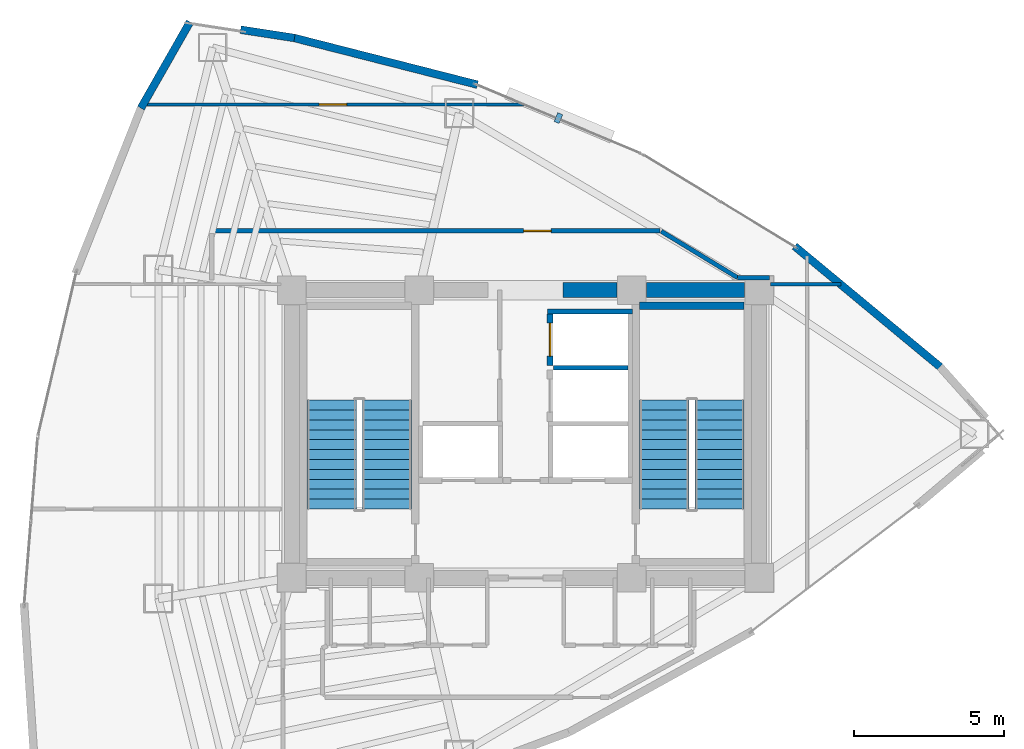
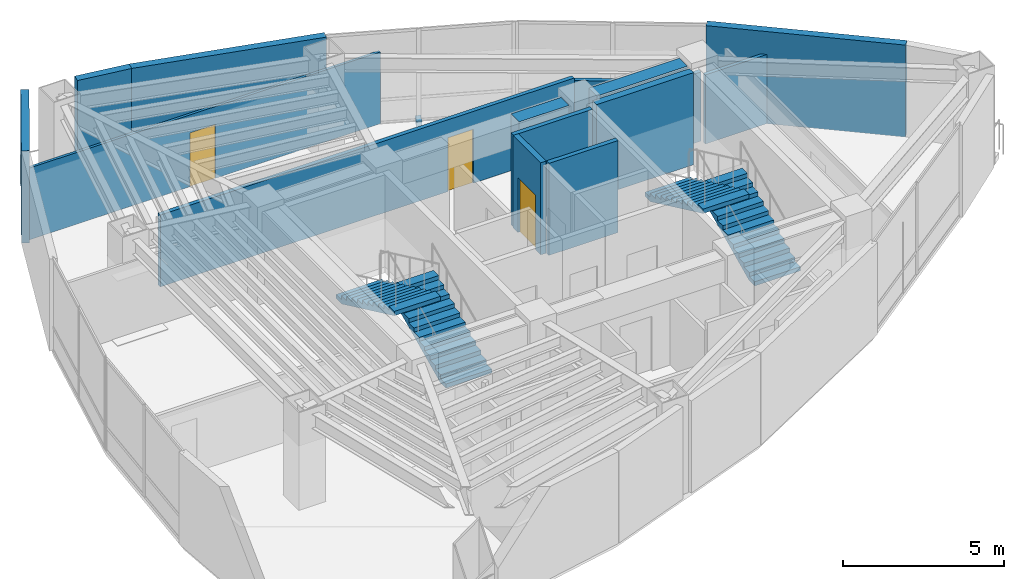
# One storey, part 13 of 15: 15 walls, 4 stair flights, 3 doors, 1 discrete accessory, 3 openings, 2 elements without a shape of their own.
"""IFC4 building model written with IfcOpenShell, lengths in metres."""

from ifc_helpers import new_model, si_unit, direction, frame, frame_2d, origin, origin_2d, place, context, subcontext, project, spatial, polyline, rectangle, outline, extrude, material, layer, layer_set, type_object, element, fill, aggregate, save


model = new_model("IFC4")

# Units and contexts
model_context = context("Model", 3, precision=1e-05, world=origin(), true_north=direction((0.0, 1.0)))
body_context = subcontext(model_context, "Body", "Model", "MODEL_VIEW")
ifc_project = project(units=[si_unit("LENGTHUNIT", "METRE"), si_unit("AREAUNIT", "SQUARE_METRE"), si_unit("VOLUMEUNIT", "CUBIC_METRE"), si_unit("PLANEANGLEUNIT", "RADIAN"), si_unit("MASSUNIT", "GRAM", prefix="KILO")], contexts=[model_context])

# Site, building, storey
site_placement = place(None, origin())
site = spatial("IfcSite", under=ifc_project, at=site_placement, CompositionType="ELEMENT")
building_placement = place(site_placement, origin())
building = spatial("IfcBuilding", under=site, at=building_placement, Name="Menara Vayukalpa", CompositionType="ELEMENT")
storey_placement = place(building_placement, frame((0.0, 0.0, 180.360107421875)))
storey = spatial("IfcBuildingStorey", under=building, at=storey_placement, Name="L45", CompositionType="ELEMENT", Elevation=180.360107421875)

# Walls
ifc_material_1 = material(Name="Concrete C60/75", Category="concrete")
ifc_layer_1 = layer(ifc_material_1, 0.5)
ifc_layer_set_1 = layer_set([ifc_layer_1], Name="Concrete C60/75")
wall_type_1 = type_object("IfcWallType", Name="WAL-CW500", PredefinedType="SHEAR", material=ifc_layer_set_1)
wall_1_placement = place(storey_placement, frame((26.85009765625, 26.800048828125, 0.0), z_axis=(0.0, 0.0, 1.0), x_axis=(1.0, 0.0, 0.0)))
element("IfcWall", 1, at=wall_1_placement, inside=storey, type_object=wall_type_1, Name="L45 Buttressed Core Shear Wall CWN3", PredefinedType="SHEAR", context=body_context, shape_type="SweptSolid", body=[
    extrude(rectangle(XDim=1.804931640625, YDim=0.5, at=frame_2d((0.90234375, 0.0))), origin(), (0.0, 0.0, 1.0), 3.5),
])
wall_2_placement = place(storey_placement, frame((29.64501953125, 26.800048828125, 0.0), z_axis=(0.0, 0.0, 1.0), x_axis=(1.0, 0.0, 0.0)))
element("IfcWall", 2, at=wall_2_placement, inside=storey, type_object=wall_type_1, Name="L45 Buttressed Core Shear Wall CWN4", PredefinedType="SHEAR", context=body_context, shape_type="SweptSolid", body=[
    extrude(rectangle(XDim=3.260009765625, YDim=0.5, at=frame_2d((1.6298828125, 0.0))), origin(), (0.0, 0.0, 1.0), 3.5),
])
ifc_material_2 = material(Name="Insulated Precast Concrete C40/50", Category="concrete")
ifc_layer_2 = layer(ifc_material_2, 0.260009765625)
ifc_layer_set_2 = layer_set([ifc_layer_2], Name="Insulated Precast Concrete C40/50")
wall_type_2 = type_object("IfcWallType", Name="WAL-EXT260", PredefinedType="PARTITIONING", material=ifc_layer_set_2)
wall_3_placement = place(storey_placement, frame((34.58251953125, 28.26953125, 0.0), z_axis=(0.0, 0.0, 1.0), x_axis=(0.769770017655, -0.638321329676, 0.0)))
element("IfcWall", 3, at=wall_3_placement, inside=storey, type_object=wall_type_2, Name="L45 Perimeter Terracotta Pier Wall 03", PredefinedType="PARTITIONING", context=body_context, shape_type="SweptSolid", body=[
    extrude(rectangle(XDim=6.309326171875, YDim=0.260009765625, at=frame_2d((3.15478515625, 0.0))), origin(), (0.0, 0.0, 1.0), 3.5),
])
wall_4_placement = place(storey_placement, frame((17.8759765625, 35.22216796875, 0.0), z_axis=(0.0, 0.0, 1.0), x_axis=(0.968976240439, -0.247153890246, 0.0)))
element("IfcWall", 4, at=wall_4_placement, inside=storey, type_object=wall_type_2, Name="L45 Perimeter Terracotta Pier Wall 06", PredefinedType="PARTITIONING", context=body_context, shape_type="SweptSolid", body=[
    extrude(rectangle(XDim=6.31494140625, YDim=0.260009765625, at=frame_2d((3.157470703125, 0.0))), origin(), (0.0, 0.0, 1.0), 3.5),
])
wall_5_placement = place(storey_placement, frame((16.0908203125, 35.49609375, 0.0), z_axis=(0.0, 0.0, 1.0), x_axis=(0.988377906791, -0.15201681936, 0.0)))
element("IfcWall", 5, at=wall_5_placement, inside=storey, type_object=wall_type_2, Name="L45 Perimeter Terracotta Pier Wall 07", PredefinedType="PARTITIONING", context=body_context, shape_type="SweptSolid", body=[
    extrude(rectangle(XDim=1.818115234375, YDim=0.260009765625, at=frame_2d((0.9091796875, 0.0))), origin(), (0.0, 0.0, 1.0), 3.5),
])
wall_6_placement = place(storey_placement, frame((12.76123046875, 32.877685546875, 0.0), z_axis=(0.0, 0.0, 1.0), x_axis=(0.494884228667, 0.86895891745, 0.0)))
element("IfcWall", 6, at=wall_6_placement, inside=storey, type_object=wall_type_2, Name="L45 Perimeter Terracotta Pier Wall 08", PredefinedType="PARTITIONING", context=body_context, shape_type="SweptSolid", body=[
    extrude(rectangle(XDim=3.312255859375, YDim=0.260009765625, at=frame_2d((1.65625, 0.0))), origin(), (0.0, 0.0, 1.0), 3.5),
])
ifc_material_3 = material(Name="Lightweight Concrete Blockwork C16/20", Category="masonry")
ifc_layer_3 = layer(ifc_material_3, 0.159912109375)
ifc_layer_set_3 = layer_set([ifc_layer_3], Name="Lightweight Concrete Blockwork C16/20")
wall_type_3 = type_object("IfcWallType", Name="WAL-FR150", PredefinedType="PARTITIONING", material=ifc_layer_set_3)
wall_7_placement = place(storey_placement, frame((26.530029296875, 24.215087890625, 0.0), z_axis=(0.0, 0.0, 1.0), x_axis=(1.0, 0.0, 0.0)))
element("IfcWall", 7, at=wall_7_placement, inside=storey, type_object=wall_type_3, Name="L45 Interior Partition IW-L45-SHM-E32", PredefinedType="PARTITIONING", context=body_context, shape_type="SweptSolid", body=[
    extrude(rectangle(XDim=2.489990234375, YDim=0.159912109375, at=frame_2d((1.2451171875, 0.0))), origin(), (0.0, 0.0, 1.0), 3.5),
])
wall_8_placement = place(storey_placement, frame((26.340087890625, 26.0849609375, 0.0), z_axis=(0.0, 0.0, 1.0), x_axis=(1.0, 0.0, 0.0)))
element("IfcWall", 8, at=wall_8_placement, inside=storey, type_object=wall_type_3, Name="L45 Interior Partition IW-L45-SHM-E2N", PredefinedType="PARTITIONING", context=body_context, shape_type="SweptSolid", body=[
    extrude(rectangle(XDim=2.829833984375, YDim=0.159912109375, at=frame_2d((1.4150390625, 0.0))), origin(), (0.0, 0.0, 1.0), 3.5),
])

# Wall, opening, door
ifc_material_4 = material(Name="Lightweight Concrete Blockwork C16/20", Category="masonry")
ifc_layer_4 = layer(ifc_material_4, 0.199951171875)
ifc_layer_set_4 = layer_set([ifc_layer_4], Name="Lightweight Concrete Blockwork C16/20")
wall_type_4 = type_object("IfcWallType", Name="WAL-FR200", PredefinedType="PARTITIONING", material=ifc_layer_set_4)
wall_9_placement = place(storey_placement, frame((26.419921875, 24.2900390625, 0.0), z_axis=(0.0, 0.0, 1.0), x_axis=(0.0, 1.0, 0.0)))
wall_9 = element("IfcWall", 9, at=wall_9_placement, inside=storey, type_object=wall_type_4, Name="L45 Interior Partition IW-L45-SH-E2", PredefinedType="PARTITIONING", context=body_context, shape_type="SweptSolid", body=[
    extrude(rectangle(XDim=1.719970703125, YDim=0.199951171875, at=frame_2d((0.85986328125, 0.0))), origin(), (0.0, 0.0, 1.0), 3.5),
])
opening_1_placement = place(wall_9_placement, frame((0.31005859375, 0.0, 0.0)))
opening_1 = element("IfcOpeningElement", 10, at=opening_1_placement, cuts=wall_9, Name="Opening LD1", PredefinedType="OPENING", context=body_context, shape_type="SweptSolid", body=[
    extrude(rectangle(XDim=1.10009765625, YDim=2.080078125, at=frame_2d((0.550048828125, 1.0400390625))), frame((0.0, 0.10986328125, 0.0), z_axis=(0.0, -1.0, 0.0), x_axis=(1.0, 0.0, 0.0)), (0.0, 0.0, 1.0), 0.219970703125),
])
ifc_material_5 = material(Name="Brushed Stainless Steel 316 Lift Door", Category="steel")
door_type_1 = type_object("IfcDoorType", Name="DR-LD110", OperationType="NOTDEFINED", PredefinedType="DOOR", material=ifc_material_5)
door_1_placement = place(opening_1_placement, origin())
door_1 = element("IfcDoor", 11, at=door_1_placement, inside=storey, type_object=door_type_1, Name="L45 Interior Door DR-L45-LD-E2", OperationType="DOUBLE_DOOR_SLIDING", OverallHeight=2.080078125, OverallWidth=1.10009765625, PredefinedType="DOOR", context=body_context, shape_type="SweptSolid", body=[
    extrude(rectangle(XDim=1.10009765625, YDim=2.080078125, at=frame_2d((0.550048828125, 1.0400390625))), frame((0.0, 0.02490234375, 0.0), z_axis=(0.0, -1.0, 0.0), x_axis=(1.0, 0.0, 0.0)), (0.0, 0.0, 1.0), 0.050048828125),
])
fill(opening_1, door_1)

ifc_material_6 = material(Name="Glazed Demountable Office Partition", Category="glass")
ifc_layer_5 = layer(ifc_material_6, 0.094970703125)
ifc_layer_set_5 = layer_set([ifc_layer_5], Name="Glazed Demountable Office Partition")
wall_type_5 = type_object("IfcWallType", Name="WAL-PT100", PredefinedType="PARTITIONING", material=ifc_layer_set_5)
wall_10_placement = place(storey_placement, frame((12.8193359375, 33.0, 0.0), z_axis=(0.0, 0.0, 1.0), x_axis=(1.0, 0.0, 0.0)))
wall_10 = element("IfcWall", 12, at=wall_10_placement, inside=storey, type_object=wall_type_5, Name="L45 Interior Partition IW-L45-RDIV06", PredefinedType="PARTITIONING", context=body_context, shape_type="SweptSolid", body=[
    extrude(rectangle(XDim=12.741455078125, YDim=0.094970703125, at=frame_2d((6.37060546875, 0.0))), origin(), (0.0, 0.0, 1.0), 2.72998046875),
])
opening_2_placement = place(wall_10_placement, frame((5.892333984375, 0.0, 0.0)))
opening_2 = element("IfcOpeningElement", 13, at=opening_2_placement, cuts=wall_10, Name="Opening ID6", PredefinedType="OPENING", context=body_context, shape_type="SweptSolid", body=[
    extrude(rectangle(XDim=0.919921875, YDim=2.050048828125, at=frame_2d((0.4599609375, 1.02490234375))), frame((0.0, 0.057373046875, 0.0), z_axis=(0.0, -1.0, 0.0), x_axis=(1.0, 0.0, 0.0)), (0.0, 0.0, 1.0), 0.114990234375),
])
ifc_material_7 = material(Name="Acoustic Hardwood Veneer Timber Door", Category="wood")
door_type_2 = type_object("IfcDoorType", Name="DR-INT92", OperationType="NOTDEFINED", PredefinedType="DOOR", material=ifc_material_7)
door_2_placement = place(opening_2_placement, origin())
door_2 = element("IfcDoor", 14, at=door_2_placement, inside=storey, type_object=door_type_2, Name="L45 Interior Door DR-L45-STE05", OperationType="SINGLE_SWING_LEFT", OverallHeight=2.050048828125, OverallWidth=0.919921875, PredefinedType="DOOR", context=body_context, shape_type="SweptSolid", body=[
    extrude(rectangle(XDim=0.919921875, YDim=2.050048828125, at=frame_2d((0.4599609375, 1.02490234375))), frame((0.0, 0.02490234375, 0.0), z_axis=(0.0, -1.0, 0.0), x_axis=(1.0, 0.0, 0.0)), (0.0, 0.0, 1.0), 0.050048828125),
])
fill(opening_2, door_2)

# Walls
ifc_material_8 = material(Name="Gypsum Drywall Steel Stud Assembly", Category="steel")
ifc_layer_6 = layer(ifc_material_8, 0.125)
ifc_layer_set_6 = layer_set([ifc_layer_6], Name="Gypsum Drywall Steel Stud Assembly")
wall_type_6 = type_object("IfcWallType", Name="WAL-PT125", PredefinedType="PARTITIONING", material=ifc_layer_set_6)
wall_11_placement = place(storey_placement, frame((33.77001953125, 27.0, 0.0), z_axis=(0.0, 0.0, 1.0), x_axis=(1.0, 0.0, 0.0)))
element("IfcWall", 15, at=wall_11_placement, inside=storey, type_object=wall_type_6, Name="L45 Interior Partition IW-L45-RDIV05", PredefinedType="PARTITIONING", context=body_context, shape_type="SweptSolid", body=[
    extrude(rectangle(XDim=2.359130859375, YDim=0.125, at=frame_2d((1.1796875, 0.0))), origin(), (0.0, 0.0, 1.0), 2.6298828125),
])
ifc_material_9 = material(Name="Gypsum Drywall Acoustic Stud Assembly", Category="masonry")
ifc_layer_7 = layer(ifc_material_9, 0.14501953125)
ifc_layer_set_7 = layer_set([ifc_layer_7], Name="Gypsum Drywall Acoustic Stud Assembly")
wall_type_7 = type_object("IfcWallType", Name="WAL-PT150", PredefinedType="PARTITIONING", material=ifc_layer_set_7)
wall_12_placement = place(storey_placement, frame((33.739990234375, 27.219970703125, 0.0), z_axis=(0.0, 0.0, 1.0), x_axis=(-1.0, 0.0, 0.0)))
element("IfcWall", 16, at=wall_12_placement, inside=storey, type_object=wall_type_7, Name="L45 Interior Partition IW-L45-CRM04-1", PredefinedType="PARTITIONING", context=body_context, shape_type="SweptSolid", body=[
    extrude(rectangle(XDim=1.0625, YDim=0.14501953125, at=frame_2d((0.53125, 0.0))), origin(), (0.0, 0.0, 1.0), 2.6298828125),
])
wall_13_placement = place(storey_placement, frame((32.677490234375, 27.219970703125, 0.0), z_axis=(0.0, 0.0, 1.0), x_axis=(-0.854662977584, 0.519183199601, 0.0)))
element("IfcWall", 17, at=wall_13_placement, inside=storey, type_object=wall_type_7, Name="L45 Interior Partition IW-L45-CRM04-2", PredefinedType="PARTITIONING", context=body_context, shape_type="SweptSolid", body=[
    extrude(rectangle(XDim=2.982177734375, YDim=0.14501953125, at=frame_2d((1.4912109375, 0.0))), origin(), (0.0, 0.0, 1.0), 2.6298828125),
])

# Wall, opening, door
wall_14_placement = place(storey_placement, frame((30.087158203125, 28.780029296875, 0.0), z_axis=(0.0, 0.0, 1.0), x_axis=(-1.0, 0.0, 0.0)))
wall_14 = element("IfcWall", 18, at=wall_14_placement, inside=storey, type_object=wall_type_7, Name="L45 Interior Partition IW-L45-CRM04-3", PredefinedType="PARTITIONING", context=body_context, shape_type="SweptSolid", body=[
    extrude(rectangle(XDim=14.88720703125, YDim=0.14501953125, at=frame_2d((7.443603515625, 0.0))), origin(), (0.0, 0.0, 1.0), 2.72998046875),
])
opening_3_placement = place(wall_14_placement, frame((3.6318359375, 0.0, 0.0)))
opening_3 = element("IfcOpeningElement", 19, at=opening_3_placement, cuts=wall_14, Name="Opening ID6", PredefinedType="OPENING", context=body_context, shape_type="SweptSolid", body=[
    extrude(rectangle(XDim=0.919921875, YDim=2.050048828125, at=frame_2d((0.4599609375, 1.02490234375))), frame((0.0, 0.08251953125, 0.0), z_axis=(0.0, -1.0, 0.0), x_axis=(1.0, 0.0, 0.0)), (0.0, 0.0, 1.0), 0.1650390625),
])
door_3_placement = place(opening_3_placement, origin())
door_3 = element("IfcDoor", 20, at=door_3_placement, inside=storey, type_object=door_type_2, Name="L45 Interior Door DR-L45-RM04", OperationType="SINGLE_SWING_LEFT", OverallHeight=2.050048828125, OverallWidth=0.919921875, PredefinedType="DOOR", context=body_context, shape_type="SweptSolid", body=[
    extrude(rectangle(XDim=0.919921875, YDim=2.050048828125, at=frame_2d((0.4599609375, 1.02490234375))), frame((0.0, 0.02490234375, 0.0), z_axis=(0.0, -1.0, 0.0), x_axis=(1.0, 0.0, 0.0)), (0.0, 0.0, 1.0), 0.050048828125),
])
fill(opening_3, door_3)

# Wall
ifc_material_10 = material(Name="Concrete C50/60", Category="concrete")
ifc_layer_8 = layer(ifc_material_10, 0.25)
ifc_layer_set_8 = layer_set([ifc_layer_8], Name="Concrete C50/60")
wall_type_8 = type_object("IfcWallType", Name="WAL-SW250", PredefinedType="SHEAR", material=ifc_layer_set_8)
wall_15_placement = place(storey_placement, frame((29.39990234375, 26.27490234375, 0.0), z_axis=(0.0, 0.0, 1.0), x_axis=(1.0, 0.0, 0.0)))
element("IfcWall", 21, at=wall_15_placement, inside=storey, type_object=wall_type_8, Name="L45 ST2 Structural Stair Shaft Wall N", PredefinedType="SHEAR", context=body_context, shape_type="SweptSolid", body=[
    extrude(rectangle(XDim=3.49609375, YDim=0.25, at=frame_2d((1.748046875, 0.0))), origin(), (0.0, 0.0, 1.0), 3.5),
])

# Stair, stair flights
ifc_material_11 = material(Name="Precast Concrete C40/50", Category="concrete")
stair_type = type_object("IfcStairType", Name="STR-T04", PredefinedType="DOUBLE_RETURN_STAIR", material=ifc_material_11)
stair_1_placement = place(storey_placement, origin())
stair_1 = element("IfcStair", 22, at=stair_1_placement, inside=storey, type_object=stair_type, Name="L45 Core Exit Stair ST-1", PredefinedType="DOUBLE_RETURN_STAIR")
ifc_material_12 = material(Name="Precast Concrete C40/50", Category="concrete")
stair_flight_type = type_object("IfcStairFlightType", Name="STF-T04", PredefinedType="STRAIGHT", material=ifc_material_12)
stair_flight_1_placement = place(storey_placement, frame((20.97509765625, 19.5, 0.0), z_axis=(0.0, 0.0, 1.0), x_axis=(0.0, 1.0, 0.0)))
stair_flight_1 = element("IfcStairFlight", 23, at=stair_flight_1_placement, type_object=stair_flight_type, Name="ST-1 flight 1", NumberOfRisers=12, NumberOfTreads=11, PredefinedType="STRAIGHT", RiserHeight=0.155, TreadLength=0.33, context=body_context, shape_type="SweptSolid", body=[
    extrude(outline(polyline([(0.0, 0.0), (0.0, 0.155029296875), (0.330078125, 0.155029296875), (0.330078125, 0.31005859375), (0.659912109375, 0.31005859375), (0.659912109375, 0.465087890625), (0.989990234375, 0.465087890625), (0.989990234375, 0.6201171875), (1.320068359375, 0.6201171875), (1.320068359375, 0.77490234375), (1.64990234375, 0.77490234375), (1.64990234375, 0.929931640625), (1.97998046875, 0.929931640625), (1.97998046875, 1.0849609375), (2.31005859375, 1.0849609375), (2.31005859375, 1.239990234375), (2.639892578125, 1.239990234375), (2.639892578125, 1.39501953125), (2.969970703125, 1.39501953125), (2.969970703125, 1.550048828125), (3.300048828125, 1.550048828125), (3.300048828125, 1.705078125), (3.6298828125, 1.705078125), (3.6298828125, 1.860107421875), (3.6298828125, 1.539306640625), (0.3525390625, 0.0), (0.0, 0.0)])), frame((0.0, 0.824951171875, 0.0), z_axis=(0.0, -1.0, 0.0), x_axis=(1.0, 0.0, 0.0)), (0.0, 0.0, 1.0), 1.64990234375),
])
stair_flight_2_placement = place(storey_placement, frame((19.125, 23.1298828125, 1.85986328125), z_axis=(0.0, 0.0, 1.0), x_axis=(0.0, -1.0, 0.0)))
stair_flight_2 = element("IfcStairFlight", 24, at=stair_flight_2_placement, type_object=stair_flight_type, Name="ST-1 flight 2", NumberOfRisers=12, NumberOfTreads=11, PredefinedType="STRAIGHT", RiserHeight=0.155, TreadLength=0.33, context=body_context, shape_type="SweptSolid", body=[
    extrude(outline(polyline([(0.0, 0.0), (0.0, 0.155029296875), (0.330078125, 0.155029296875), (0.330078125, 0.31005859375), (0.659912109375, 0.31005859375), (0.659912109375, 0.465087890625), (0.989990234375, 0.465087890625), (0.989990234375, 0.6201171875), (1.320068359375, 0.6201171875), (1.320068359375, 0.77490234375), (1.64990234375, 0.77490234375), (1.64990234375, 0.929931640625), (1.97998046875, 0.929931640625), (1.97998046875, 1.0849609375), (2.31005859375, 1.0849609375), (2.31005859375, 1.239990234375), (2.639892578125, 1.239990234375), (2.639892578125, 1.39501953125), (2.969970703125, 1.39501953125), (2.969970703125, 1.550048828125), (3.300048828125, 1.550048828125), (3.300048828125, 1.705078125), (3.6298828125, 1.705078125), (3.6298828125, 1.860107421875), (3.6298828125, 1.539306640625), (0.3525390625, 0.0), (0.0, 0.0)])), frame((0.0, 0.824951171875, 0.0), z_axis=(0.0, -1.0, 0.0), x_axis=(1.0, 0.0, 0.0)), (0.0, 0.0, 1.0), 1.64990234375),
])
aggregate(stair_1, [stair_flight_1, stair_flight_2])

stair_2_placement = place(storey_placement, origin())
stair_2 = element("IfcStair", 25, at=stair_2_placement, inside=storey, type_object=stair_type, Name="L45 Core Exit Stair ST-2", PredefinedType="DOUBLE_RETURN_STAIR")
stair_flight_3_placement = place(storey_placement, frame((32.074951171875, 19.5, 0.0), z_axis=(0.0, 0.0, 1.0), x_axis=(0.0, 1.0, 0.0)))
stair_flight_3 = element("IfcStairFlight", 26, at=stair_flight_3_placement, type_object=stair_flight_type, Name="ST-2 flight 1", NumberOfRisers=12, NumberOfTreads=11, PredefinedType="STRAIGHT", RiserHeight=0.155, TreadLength=0.33, context=body_context, shape_type="SweptSolid", body=[
    extrude(outline(polyline([(0.0, 0.0), (0.0, 0.155029296875), (0.330078125, 0.155029296875), (0.330078125, 0.31005859375), (0.659912109375, 0.31005859375), (0.659912109375, 0.465087890625), (0.989990234375, 0.465087890625), (0.989990234375, 0.6201171875), (1.320068359375, 0.6201171875), (1.320068359375, 0.77490234375), (1.64990234375, 0.77490234375), (1.64990234375, 0.929931640625), (1.97998046875, 0.929931640625), (1.97998046875, 1.0849609375), (2.31005859375, 1.0849609375), (2.31005859375, 1.239990234375), (2.639892578125, 1.239990234375), (2.639892578125, 1.39501953125), (2.969970703125, 1.39501953125), (2.969970703125, 1.550048828125), (3.300048828125, 1.550048828125), (3.300048828125, 1.705078125), (3.6298828125, 1.705078125), (3.6298828125, 1.860107421875), (3.6298828125, 1.539306640625), (0.3525390625, 0.0), (0.0, 0.0)])), frame((0.0, 0.824951171875, 0.0), z_axis=(0.0, -1.0, 0.0), x_axis=(1.0, 0.0, 0.0)), (0.0, 0.0, 1.0), 1.64990234375),
])
stair_flight_4_placement = place(storey_placement, frame((30.22509765625, 23.1298828125, 1.85986328125), z_axis=(0.0, 0.0, 1.0), x_axis=(0.0, -1.0, 0.0)))
stair_flight_4 = element("IfcStairFlight", 27, at=stair_flight_4_placement, type_object=stair_flight_type, Name="ST-2 flight 2", NumberOfRisers=12, NumberOfTreads=11, PredefinedType="STRAIGHT", RiserHeight=0.155, TreadLength=0.33, context=body_context, shape_type="SweptSolid", body=[
    extrude(outline(polyline([(0.0, 0.0), (0.0, 0.155029296875), (0.330078125, 0.155029296875), (0.330078125, 0.31005859375), (0.659912109375, 0.31005859375), (0.659912109375, 0.465087890625), (0.989990234375, 0.465087890625), (0.989990234375, 0.6201171875), (1.320068359375, 0.6201171875), (1.320068359375, 0.77490234375), (1.64990234375, 0.77490234375), (1.64990234375, 0.929931640625), (1.97998046875, 0.929931640625), (1.97998046875, 1.0849609375), (2.31005859375, 1.0849609375), (2.31005859375, 1.239990234375), (2.639892578125, 1.239990234375), (2.639892578125, 1.39501953125), (2.969970703125, 1.39501953125), (2.969970703125, 1.550048828125), (3.300048828125, 1.550048828125), (3.300048828125, 1.705078125), (3.6298828125, 1.705078125), (3.6298828125, 1.860107421875), (3.6298828125, 1.539306640625), (0.3525390625, 0.0), (0.0, 0.0)])), frame((0.0, 0.824951171875, 0.0), z_axis=(0.0, -1.0, 0.0), x_axis=(1.0, 0.0, 0.0)), (0.0, 0.0, 1.0), 1.64990234375),
])
aggregate(stair_2, [stair_flight_3, stair_flight_4])

# Discrete accessory
ifc_material_13 = material(Name="Stainless Steel 316 Sunshade Bracket", Category="steel")
discrete_accessory_type = type_object("IfcDiscreteAccessoryType", Name="ACC-BRK1", PredefinedType="BRACKET", material=ifc_material_13)
discrete_accessory_placement = place(storey_placement, frame((26.69775390625, 32.5458984375, -0.16015625), z_axis=(0.0, 0.0, 1.0), x_axis=(-0.922538089456, 0.385906042324, 0.0)))
element("IfcDiscreteAccessory", 28, at=discrete_accessory_placement, inside=storey, type_object=discrete_accessory_type, Name="L45 Terracotta Sunshade Bracket 05", PredefinedType="BRACKET", context=body_context, shape_type="SweptSolid", body=[
    extrude(rectangle(XDim=0.179931640625, YDim=0.320068359375, at=origin_2d()), origin(), (0.0, 0.0, 1.0), 0.219970703125),
])

save(model, "model.ifc")
